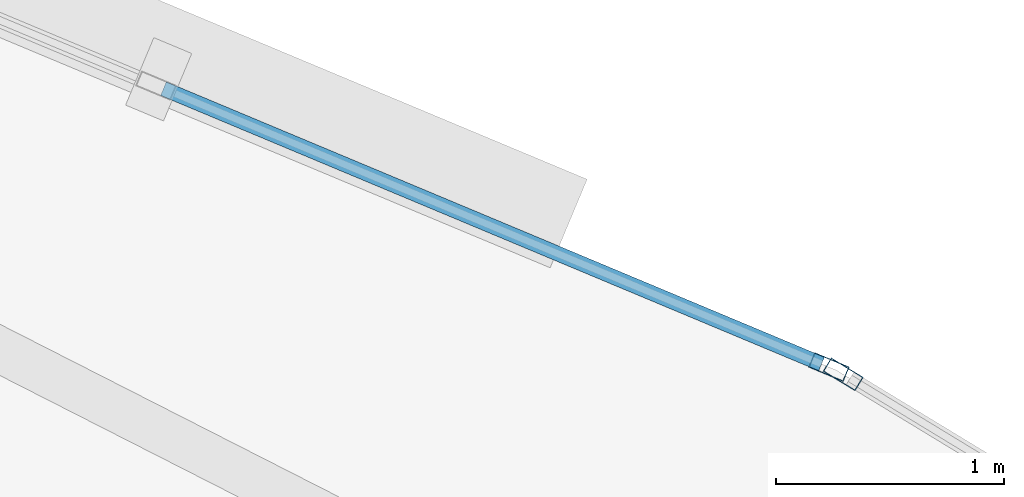
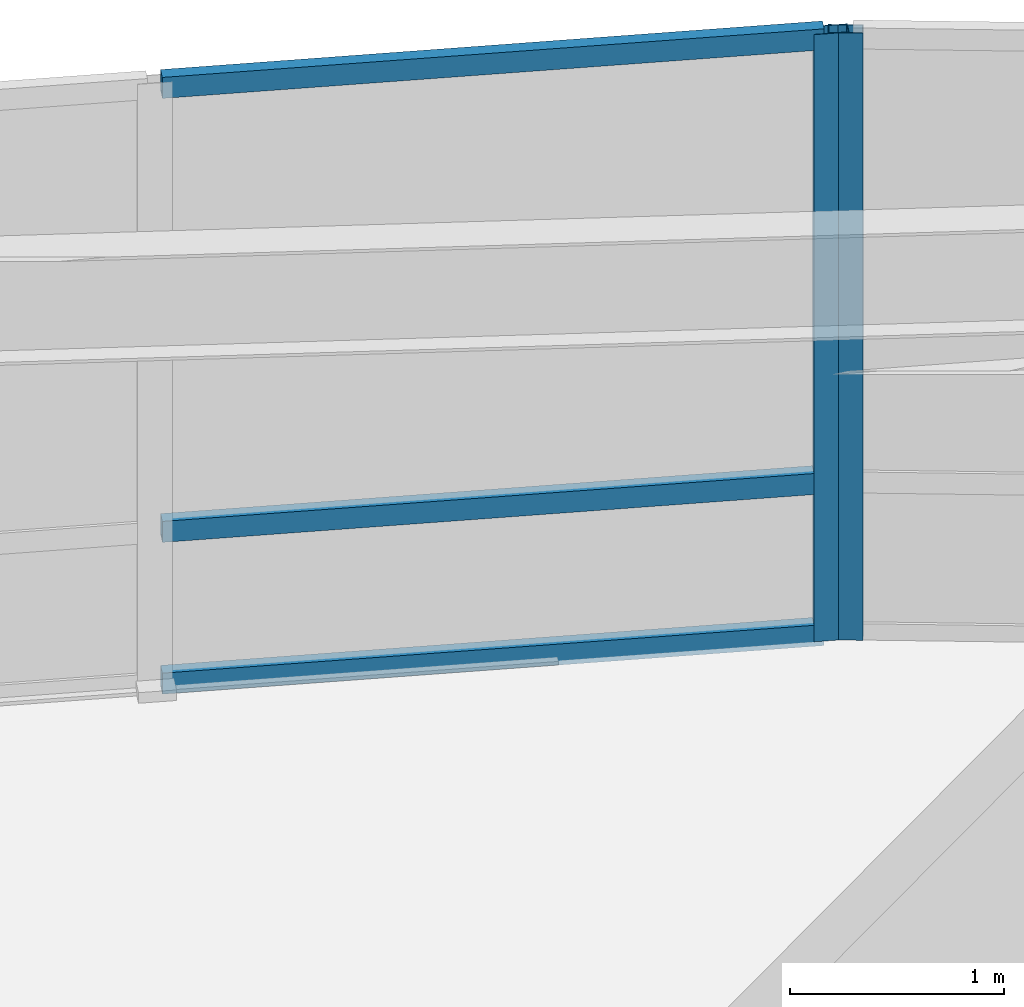
# One storey, part 11 of 16: 5 members, 2 elements without a shape of their own.
"""IFC4 building model written with IfcOpenShell, lengths in metres."""

from ifc_helpers import new_model, si_unit, direction, frame, origin, origin_2d, place, context, subcontext, project, spatial, hollow_rectangle, extrude, material, layer, layer_set, material_profile, profile_set, type_object, element, aggregate, save


model = new_model("IFC4")

# Units and contexts
model_context = context("Model", 3, precision=1e-05, world=origin(), true_north=direction((0.0, 1.0)))
body_context = subcontext(model_context, "Body", "Model", "MODEL_VIEW")
ifc_project = project(units=[si_unit("LENGTHUNIT", "METRE"), si_unit("AREAUNIT", "SQUARE_METRE"), si_unit("VOLUMEUNIT", "CUBIC_METRE"), si_unit("PLANEANGLEUNIT", "RADIAN"), si_unit("MASSUNIT", "GRAM", prefix="KILO")], contexts=[model_context])

# Site, building, storey
site_placement = place(None, origin())
site = spatial("IfcSite", under=ifc_project, at=site_placement, CompositionType="ELEMENT")
building_placement = place(site_placement, origin())
building = spatial("IfcBuilding", under=site, at=building_placement, Name="Menara Vayukalpa", CompositionType="ELEMENT")
storey_placement = place(building_placement, frame((0.0, 0.0, 72.239990234375)))
storey = spatial("IfcBuildingStorey", under=building, at=storey_placement, Name="L17", CompositionType="ELEMENT", Elevation=72.239990234375)

# Curtain wall, member
ifc_material_1 = material(Name="Anodised Terracotta Aluminium Alloy 6063-T6", Category="masonry")
ifc_layer = layer(ifc_material_1, 0.1650390625)
ifc_layer_set = layer_set([ifc_layer], Name="Anodised Terracotta Aluminium Alloy 6063-T6")
curtain_wall_type = type_object("IfcCurtainWallType", Name="CW-CW2", PredefinedType="USERDEFINED", material=ifc_layer_set)
curtain_wall_1_placement = place(storey_placement, origin())
curtain_wall_1 = element("IfcCurtainWall", 1, at=curtain_wall_1_placement, inside=storey, type_object=curtain_wall_type, Name="L17 Low Rise Terracotta Ribbon Curtain Wall CW2 04", ObjectType="UNITISED", PredefinedType="USERDEFINED")
ifc_material_2 = material(Name="Anodised Terracotta Aluminium Alloy 6063-T6", Category="masonry")
ifc_material_profile_1 = material_profile(ifc_material_2, hollow_rectangle(XDim=0.070068359375, YDim=0.1650390625, WallThickness=0.00390625, at=origin_2d()), Name="ALU 70x165x4")
ifc_profile_set_1 = profile_set([ifc_material_profile_1], Name="Anodised Terracotta Aluminium Alloy 6063-T6")
member_type_1 = type_object("IfcMemberType", Name="CWM-CW2", PredefinedType="MULLION", material=ifc_profile_set_1)
member_1_placement = place(storey_placement, frame((29.895751953125, 31.93701171875, 0.0), z_axis=(0.0, 0.0, 1.0), x_axis=(-0.519182959112, -0.854663123674, 0.0)))
member_1 = element("IfcMember", 2, at=member_1_placement, type_object=member_type_1, Name="CW2 mullion 3", PredefinedType="MULLION", context=body_context, shape_type="SweptSolid", body=[
    extrude(hollow_rectangle(XDim=0.070068359375, YDim=0.1650390625, WallThickness=0.00390625, at=origin_2d()), origin(), (0.0, 0.0, 1.0), 3.469970703125),
])
aggregate(curtain_wall_1, [member_1])

# Curtain wall, members
curtain_wall_2_placement = place(storey_placement, origin())
curtain_wall_2 = element("IfcCurtainWall", 3, at=curtain_wall_2_placement, inside=storey, type_object=curtain_wall_type, Name="L17 Low Rise Terracotta Ribbon Curtain Wall CW2 05", ObjectType="UNITISED", PredefinedType="USERDEFINED")
member_2_placement = place(storey_placement, frame((29.83349609375, 31.96875, 0.0), z_axis=(0.0, 0.0, 1.0), x_axis=(-0.38589358437, -0.922543300632, 0.0)))
member_2 = element("IfcMember", 4, at=member_2_placement, type_object=member_type_1, Name="CW2 mullion 1", PredefinedType="MULLION", context=body_context, shape_type="SweptSolid", body=[
    extrude(hollow_rectangle(XDim=0.070068359375, YDim=0.1650390625, WallThickness=0.00390625, at=origin_2d()), origin(), (0.0, 0.0, 1.0), 3.469970703125),
])
ifc_material_3 = material(Name="Anodised Terracotta Aluminium Alloy 6063-T6", Category="masonry")
ifc_material_profile_2 = material_profile(ifc_material_3, hollow_rectangle(XDim=0.06494140625, YDim=0.1201171875, WallThickness=0.00341796875, at=origin_2d()), Name="ALU 65x120x3.5")
ifc_profile_set_2 = profile_set([ifc_material_profile_2], Name="Anodised Terracotta Aluminium Alloy 6063-T6")
member_type_2 = type_object("IfcMemberType", Name="CWT-CW2", PredefinedType="USERDEFINED", material=ifc_profile_set_2)
member_3_placement = place(storey_placement, frame((29.80126953125, 31.982177734375, 0.032470703125), z_axis=(-0.922525759021, 0.385935517856, 0.0), x_axis=(-0.385935517856, -0.922525759021, 0.0)))
member_3 = element("IfcMember", 5, at=member_3_placement, type_object=member_type_2, Name="CW2 transom 1.1", ObjectType="TRANSOM", PredefinedType="USERDEFINED", context=body_context, shape_type="SweptSolid", body=[
    extrude(hollow_rectangle(XDim=0.06494140625, YDim=0.1201171875, WallThickness=0.00341796875, at=origin_2d()), origin(), (0.0, 0.0, 1.0), 3.124267578125),
])
member_4_placement = place(storey_placement, frame((29.80126953125, 31.982177734375, 0.89990234375), z_axis=(-0.922525759021, 0.385935517856, 0.0), x_axis=(-0.385935517856, -0.922525759021, 0.0)))
member_4 = element("IfcMember", 6, at=member_4_placement, type_object=member_type_2, Name="CW2 transom 1.2", ObjectType="TRANSOM", PredefinedType="USERDEFINED", context=body_context, shape_type="SweptSolid", body=[
    extrude(hollow_rectangle(XDim=0.06494140625, YDim=0.1201171875, WallThickness=0.00341796875, at=origin_2d()), origin(), (0.0, 0.0, 1.0), 3.124267578125),
])
member_5_placement = place(storey_placement, frame((29.80126953125, 31.982177734375, 3.4375), z_axis=(-0.922525759021, 0.385935517856, 0.0), x_axis=(-0.385935517856, -0.922525759021, 0.0)))
member_5 = element("IfcMember", 7, at=member_5_placement, type_object=member_type_2, Name="CW2 transom 1.3", ObjectType="TRANSOM", PredefinedType="USERDEFINED", context=body_context, shape_type="SweptSolid", body=[
    extrude(hollow_rectangle(XDim=0.06494140625, YDim=0.1201171875, WallThickness=0.00341796875, at=origin_2d()), origin(), (0.0, 0.0, 1.0), 3.124267578125),
])
aggregate(curtain_wall_2, [member_2, member_3, member_4, member_5])

save(model, "model.ifc")
